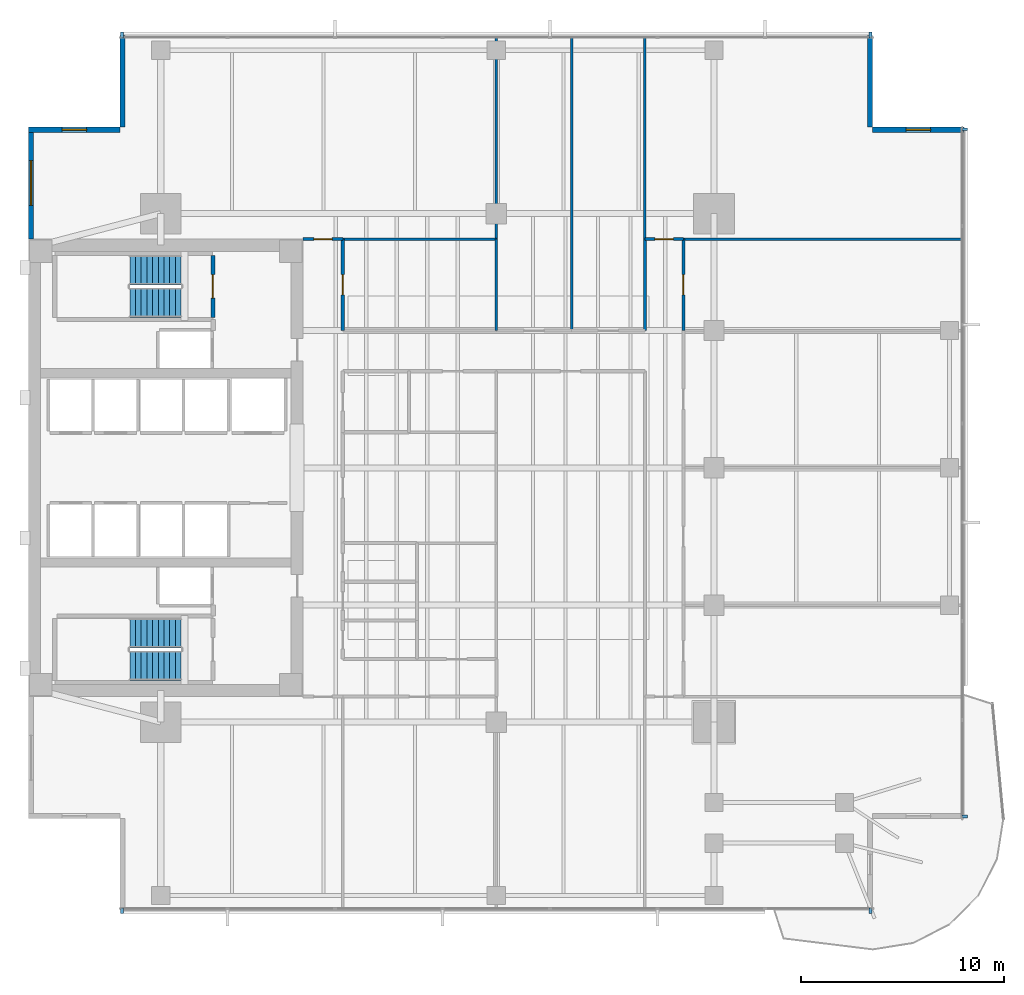
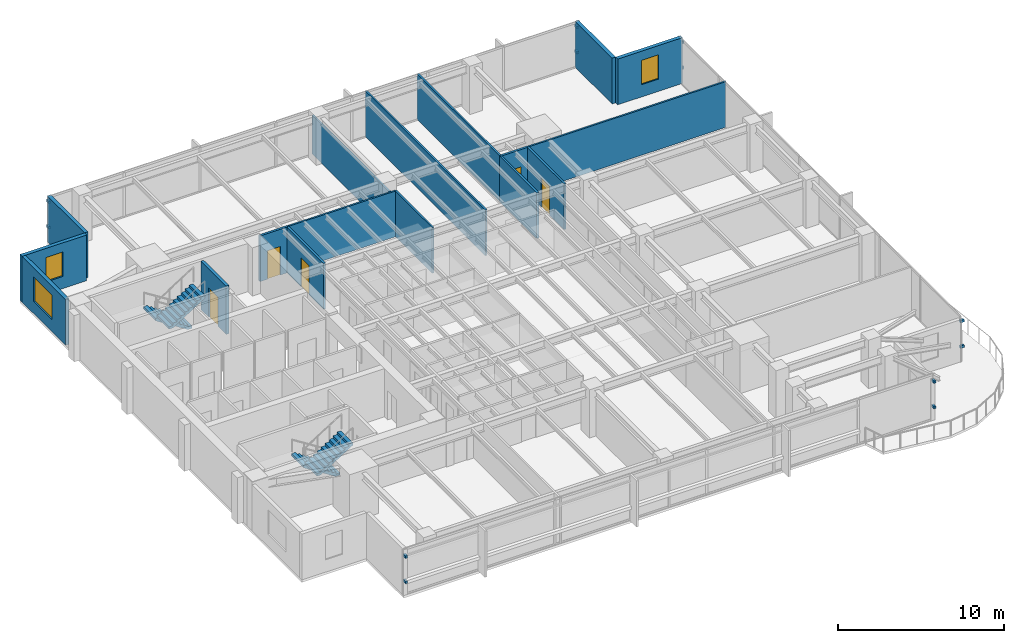
# One storey, part 10 of 14: 17 walls, 12 discrete accessories, 5 doors, 4 stair flights, 3 windows, 8 openings, 2 elements without a shape of their own.
"""IFC4 building model written with IfcOpenShell, lengths in metres."""

import ifcopenshell
import ifcopenshell.guid

model = None  # the IFC model being written
_history = None  # IfcOwnerHistory: only IFC2X3 demands one
_inside = {}  # id of a spatial element -> (the spatial element, [elements in it])
_under = {}  # id of a project, library or spatial element -> (it, [spatial elements below it])
_declared = {}  # id of a project -> (the project, [libraries it declares])
_typed = {}  # id of a type object -> (the type object, [elements of that type])
_made_of = {}  # id of a material, layer set ... -> (it, [elements and type objects made of it])


def new_model(schema):
    """Start an empty IFC model of exactly this schema.

    Asked for "IFC4X3", IfcOpenShell would pick the latest addendum, in which some entities
    have other attributes; the version numbers below select the first issue.
    IFC2X3 requires an IfcOwnerHistory on every rooted entity: one is made here for all.
    """
    global model, _history
    if schema == "IFC4X3":
        model = ifcopenshell.file(schema_version=(4, 3, 0, 0))
    else:
        model = ifcopenshell.file(schema=schema)
    _inside.clear()
    _under.clear()
    _declared.clear()
    _typed.clear()
    _made_of.clear()
    _history = None
    if model.schema == "IFC2X3":
        org = make("IfcOrganization", Name="unknown")
        user = make(
            "IfcPersonAndOrganization",
            ThePerson=make("IfcPerson", FamilyName="unknown"),
            TheOrganization=org,
        )
        app = make(
            "IfcApplication",
            ApplicationDeveloper=org,
            Version="unknown",
            ApplicationFullName="unknown",
            ApplicationIdentifier="unknown",
        )
        _history = make(
            "IfcOwnerHistory",
            OwningUser=user,
            OwningApplication=app,
            ChangeAction="ADDED",
            CreationDate=0,
        )
    return model


def make(cls, **values):
    """One entity of the class cls with the attributes given. An attribute that is None is left unset."""
    return model.create_entity(
        cls, **{name: value for name, value in values.items() if value is not None}
    )


def rooted(cls, **values):
    """An entity with a GlobalId (a new one), such as an element, a storey or a relation."""
    return make(cls, GlobalId=ifcopenshell.guid.new(), OwnerHistory=_history, **values)


def si_unit(unit_type, name, prefix=None):
    """IfcSIUnit, for example si_unit("LENGTHUNIT", "METRE", prefix="MILLI")."""
    return make("IfcSIUnit", UnitType=unit_type, Prefix=prefix, Name=name)


def assignment(units):
    """IfcUnitAssignment: the units of a project."""
    return None if units is None else make("IfcUnitAssignment", Units=units)


def point(xyz):
    """IfcCartesianPoint."""
    return None if xyz is None else make("IfcCartesianPoint", Coordinates=xyz)


def direction(xyz):
    """IfcDirection."""
    return None if xyz is None else make("IfcDirection", DirectionRatios=xyz)


def frame(location, z_axis=None, x_axis=None):
    """IfcAxis2Placement3D, a coordinate frame: its origin and axes. An axis left out is left unset."""
    return make(
        "IfcAxis2Placement3D",
        Location=point(location),
        Axis=direction(z_axis),
        RefDirection=direction(x_axis),
    )


def frame_2d(location, x_axis=None):
    """IfcAxis2Placement2D, a coordinate frame in the plane: its origin and x axis."""
    return make(
        "IfcAxis2Placement2D", Location=point(location), RefDirection=direction(x_axis)
    )


def origin():
    """The frame at (0, 0, 0) with its axes left unset."""
    return frame((0.0, 0.0, 0.0))


def origin_2d():
    """The frame at (0, 0) in the plane with its x axis left unset."""
    return frame_2d((0.0, 0.0))


def place(relative_to, where):
    """IfcLocalPlacement: puts the frame where relative to a parent placement (None: the world)."""
    return make(
        "IfcLocalPlacement", PlacementRelTo=relative_to, RelativePlacement=where
    )


def context(
    kind, dimensions, precision=None, world=None, true_north=None, identifier=None
):
    """IfcGeometricRepresentationContext, for example the 3D "Model" context."""
    return make(
        "IfcGeometricRepresentationContext",
        ContextIdentifier=identifier,
        ContextType=kind,
        CoordinateSpaceDimension=dimensions,
        Precision=precision,
        WorldCoordinateSystem=world,
        TrueNorth=true_north,
    )


def subcontext(parent, identifier, kind, view, scale=None):
    """IfcGeometricRepresentationSubContext, for example "Body" below "Model"."""
    return make(
        "IfcGeometricRepresentationSubContext",
        ContextIdentifier=identifier,
        ContextType=kind,
        ParentContext=parent,
        TargetScale=scale,
        TargetView=view,
    )


def project(units=None, contexts=None):
    """IfcProject with its units and contexts."""
    return rooted(
        "IfcProject",
        Name="project",
        RepresentationContexts=contexts,
        UnitsInContext=assignment(units),
    )


def spatial(cls, under=None, at=None, **own):
    """A site, building, storey or space (cls), placed at a placement, below another one or the project."""
    s = rooted(cls, ObjectPlacement=at, **own)
    if under is not None:
        _under.setdefault(under.id(), (under, []))[1].append(s)
    return s


def polyline(points):
    """IfcPolyline through the points."""
    return make("IfcPolyline", Points=[point(p) for p in points])


def profile(cls, at=None, kind="AREA", **sizes):
    """A parametric profile (cls). Its sizes go by their IFC names, for example OverallWidth=200.0."""
    return make(cls, ProfileType=kind, Position=at, **sizes)


def rectangle(**sizes):
    """IfcRectangleProfileDef."""
    return profile("IfcRectangleProfileDef", **sizes)


def outline(outer, holes=None, kind="AREA"):
    """IfcArbitraryClosedProfileDef: a profile drawn as a closed curve; with holes, ...WithVoids."""
    if holes is None:
        return make("IfcArbitraryClosedProfileDef", ProfileType=kind, OuterCurve=outer)
    return make(
        "IfcArbitraryProfileDefWithVoids",
        ProfileType=kind,
        OuterCurve=outer,
        InnerCurves=holes,
    )


def extrude(swept, where, along, depth):
    """IfcExtrudedAreaSolid: the profile swept, set in the frame where, extruded along a direction by depth."""
    return make(
        "IfcExtrudedAreaSolid",
        SweptArea=swept,
        Position=where,
        ExtrudedDirection=direction(along),
        Depth=depth,
    )


def shape(context_of_items, identifier, shape_type, items):
    """IfcShapeRepresentation: the items that make up one representation, for example the "Body"."""
    return make(
        "IfcShapeRepresentation",
        ContextOfItems=context_of_items,
        RepresentationIdentifier=identifier,
        RepresentationType=shape_type,
        Items=items,
    )


def material(Name=None, Category=None):
    """IfcMaterial."""
    return make("IfcMaterial", Name=Name, Category=Category)


def layer(
    of_material, thickness, ventilated=None, Name=None, Category=None, Priority=None
):
    """IfcMaterialLayer: one layer of a wall or slab, of a material (None: an air gap)."""
    return make(
        "IfcMaterialLayer",
        Material=of_material,
        LayerThickness=thickness,
        IsVentilated=ventilated,
        Name=Name,
        Category=Category,
        Priority=Priority,
    )


def layer_set(layers, Name=None):
    """IfcMaterialLayerSet."""
    return make("IfcMaterialLayerSet", MaterialLayers=layers, LayerSetName=Name)


def made_of(thing, what):
    """Note that an element or type object is made of a material, layer set ...; save() writes the relation."""
    if what is not None:
        _made_of.setdefault(what.id(), (what, []))[1].append(thing)
    return thing


def type_object(cls, material=None, **own):
    """A type object (cls), such as IfcWallType, which elements share."""
    return made_of(rooted(cls, **own), material)


def element(
    cls,
    number,
    at=None,
    inside=None,
    cuts=None,
    type_object=None,
    material=None,
    context=None,
    identifier="Body",
    shape_type=None,
    held_by="IfcProductDefinitionShape",
    body=None,
    shapes=None,
    **own,
):
    """One element of the class cls, such as IfcWall. Its Tag is "e" and its number.

    at: its placement. inside: the storey or other place that contains it. cuts: it is an
    opening in that element (IfcRelVoidsElement). A single representation is given by context,
    identifier, shape_type and body (its items); several are given by shapes. held_by: the class
    of the entity that holds the representations. save() writes the other relations.
    """
    e = rooted(cls, Tag="e%d" % number, ObjectPlacement=at, **own)
    if body is not None:
        shapes = [shape(context, identifier, shape_type, body)]
    if shapes is not None:
        e.Representation = make(held_by, Representations=shapes)
    if inside is not None:
        _inside.setdefault(inside.id(), (inside, []))[1].append(e)
    if cuts is not None:
        rooted(
            "IfcRelVoidsElement", RelatingBuildingElement=cuts, RelatedOpeningElement=e
        )
    if type_object is not None:
        _typed.setdefault(type_object.id(), (type_object, []))[1].append(e)
    return made_of(e, material)


def fill(opening, filler):
    """IfcRelFillsElement: the door or window that sits in an opening."""
    return rooted(
        "IfcRelFillsElement",
        RelatingOpeningElement=opening,
        RelatedBuildingElement=filler,
    )


def aggregate(whole, parts):
    """IfcRelAggregates: a whole, such as a stair, and the parts it consists of."""
    return rooted("IfcRelAggregates", RelatingObject=whole, RelatedObjects=parts)


def save(model, path):
    """Write the relations noted so far, then the file.

    IfcRelAggregates (storeys below a building ...), IfcRelContainedInSpatialStructure (elements
    in a storey), IfcRelDefinesByType, IfcRelAssociatesMaterial and IfcRelDeclares: one each for
    every whole, place, type object, material and project.
    """
    for whole, parts in _under.values():
        aggregate(whole, parts)
    for where, things in _inside.values():
        rooted(
            "IfcRelContainedInSpatialStructure",
            RelatedElements=things,
            RelatingStructure=where,
        )
    for kind, things in _typed.values():
        rooted("IfcRelDefinesByType", RelatedObjects=things, RelatingType=kind)
    for what, things in _made_of.values():
        rooted("IfcRelAssociatesMaterial", RelatedObjects=things, RelatingMaterial=what)
    for by, libraries in _declared.values():
        rooted("IfcRelDeclares", RelatingContext=by, RelatedDefinitions=libraries)
    model.write(path)


model = new_model("IFC4")

# Units and contexts
model_context = context("Model", 3, precision=1e-05, world=origin(), true_north=direction((0.0, 1.0)))
body_context = subcontext(model_context, "Body", "Model", "MODEL_VIEW")
ifc_project = project(units=[si_unit("LENGTHUNIT", "METRE"), si_unit("AREAUNIT", "SQUARE_METRE"), si_unit("VOLUMEUNIT", "CUBIC_METRE"), si_unit("PLANEANGLEUNIT", "RADIAN"), si_unit("MASSUNIT", "GRAM", prefix="KILO")], contexts=[model_context])

# Site, building, storey
site_placement = place(None, origin())
site = spatial("IfcSite", under=ifc_project, at=site_placement, CompositionType="ELEMENT")
building_placement = place(site_placement, origin())
building = spatial("IfcBuilding", under=site, at=building_placement, Name="Kinhvarn Gate Tower", CompositionType="ELEMENT")
storey_placement = place(building_placement, frame((0.0, 0.0, 151.949951171875)))
storey = spatial("IfcBuildingStorey", under=building, at=storey_placement, Name="L40", CompositionType="ELEMENT", Elevation=151.949951171875)

# Wall, opening, window
ifc_material_1 = material(Name="Fired architectural terracotta", Category="masonry")
ifc_layer_1 = layer(ifc_material_1, 0.25)
ifc_layer_set_1 = layer_set([ifc_layer_1], Name="Fired architectural terracotta")
wall_type_1 = type_object("IfcWallType", Name="WL-EXT-250", PredefinedType="SOLIDWALL", material=ifc_layer_set_1)
wall_1_placement = place(storey_placement, frame((4.625, 42.0, 0.0), z_axis=(0.0, 0.0, 1.0), x_axis=(0.0, -1.0, 0.0)))
wall_1 = element("IfcWall", 1, at=wall_1_placement, inside=storey, type_object=wall_type_1, Name="Exterior Solidwall Wall EW-250 (L40 West-North)", PredefinedType="SOLIDWALL", context=body_context, shape_type="SweptSolid", body=[
    extrude(rectangle(XDim=5.5, YDim=0.25, at=frame_2d((2.75, 0.0))), origin(), (0.0, 0.0, 1.0), 3.3701171875),
])
opening_1_placement = place(wall_1_placement, frame((1.64990234375, 0.0, 0.89990234375)))
opening_1 = element("IfcOpeningElement", 2, at=opening_1_placement, cuts=wall_1, Name="Opening WN-01", PredefinedType="OPENING", context=body_context, shape_type="SweptSolid", body=[
    extrude(rectangle(XDim=2.199951171875, YDim=1.800048828125, at=frame_2d((1.10009765625, 0.89990234375))), frame((0.0, 0.135009765625, 0.0), z_axis=(0.0, -1.0, 0.0), x_axis=(1.0, 0.0, 0.0)), (0.0, 0.0, 1.0), 0.27001953125),
])
ifc_material_2 = material(Name="Clear low-e double glazing", Category="glass")
window_type_1 = type_object("IfcWindowType", Name="WIN-RIB-2200", PartitioningType="SINGLE_PANEL", PredefinedType="WINDOW", material=ifc_material_2)
window_1_placement = place(opening_1_placement, origin())
window_1 = element("IfcWindow", 3, at=window_1_placement, inside=storey, type_object=window_type_1, Name="West Flank Double-Glazed Ribbon Window 2200x1800 mm (L40)", OverallHeight=1.800048828125, OverallWidth=2.199951171875, PartitioningType="SINGLE_PANEL", PredefinedType="WINDOW", context=body_context, shape_type="SweptSolid", body=[
    extrude(rectangle(XDim=2.199951171875, YDim=1.800048828125, at=frame_2d((1.10009765625, 0.89990234375))), frame((0.0, 0.030029296875, 0.0), z_axis=(0.0, -1.0, 0.0), x_axis=(1.0, 0.0, 0.0)), (0.0, 0.0, 1.0), 0.06005859375),
])
fill(opening_1, window_1)

wall_2_placement = place(storey_placement, frame((50.5, 41.875, 0.0), z_axis=(0.0, 0.0, 1.0), x_axis=(-1.0, 0.0, 0.0)))
wall_2 = element("IfcWall", 4, at=wall_2_placement, inside=storey, type_object=wall_type_1, Name="Exterior Solidwall Wall EW-250 (L40 NE-Notch-1)", PredefinedType="SOLIDWALL", context=body_context, shape_type="SweptSolid", body=[
    extrude(rectangle(XDim=4.5, YDim=0.25, at=frame_2d((2.25, 0.0))), origin(), (0.0, 0.0, 1.0), 3.3701171875),
])
opening_2_placement = place(wall_2_placement, frame((1.64990234375, 0.0, 0.89990234375)))
opening_2 = element("IfcOpeningElement", 5, at=opening_2_placement, cuts=wall_2, Name="Opening WN-02", PredefinedType="OPENING", context=body_context, shape_type="SweptSolid", body=[
    extrude(rectangle(XDim=1.199951171875, YDim=1.800048828125, at=frame_2d((0.60009765625, 0.89990234375))), frame((0.0, 0.135009765625, 0.0), z_axis=(0.0, -1.0, 0.0), x_axis=(1.0, 0.0, 0.0)), (0.0, 0.0, 1.0), 0.27001953125),
])
window_type_2 = type_object("IfcWindowType", Name="WIN-NTC-1200", PartitioningType="SINGLE_PANEL", PredefinedType="WINDOW", material=ifc_material_2)
window_2_placement = place(opening_2_placement, origin())
window_2 = element("IfcWindow", 6, at=window_2_placement, inside=storey, type_object=window_type_2, Name="Recessed Corner Notch Punched Window 1200x1800 mm (L40)", OverallHeight=1.800048828125, OverallWidth=1.199951171875, PartitioningType="SINGLE_PANEL", PredefinedType="WINDOW", context=body_context, shape_type="SweptSolid", body=[
    extrude(rectangle(XDim=1.199951171875, YDim=1.800048828125, at=frame_2d((0.60009765625, 0.89990234375))), frame((0.0, 0.030029296875, 0.0), z_axis=(0.0, -1.0, 0.0), x_axis=(1.0, 0.0, 0.0)), (0.0, 0.0, 1.0), 0.06005859375),
])
fill(opening_2, window_2)

# Walls
for number, where, z_axis, x_axis, name in (
    (7, (45.875, 42.0, 0.0), (0.0, 0.0, 1.0), (0.0, 1.0, 0.0), "Exterior Solidwall Wall EW-250 (L40 NE-Notch-2)"),
    (8, (9.125, 46.5, 0.0), (0.0, 0.0, 1.0), (0.0, -1.0, 0.0), "Exterior Solidwall Wall EW-250 (L40 NW-Notch-1)"),
):
    element("IfcWall", number, at=place(storey_placement, frame(where, z_axis=z_axis, x_axis=x_axis)), inside=storey, type_object=wall_type_1, Name=name, PredefinedType="SOLIDWALL", context=body_context, shape_type="SweptSolid", body=[
        extrude(rectangle(XDim=4.5, YDim=0.25, at=frame_2d((2.25, 0.0))), origin(), (0.0, 0.0, 1.0), 3.3701171875),
    ])

# Wall, opening, window
wall_3_placement = place(storey_placement, frame((9.0, 41.875, 0.0), z_axis=(0.0, 0.0, 1.0), x_axis=(-1.0, 0.0, 0.0)))
wall_3 = element("IfcWall", 9, at=wall_3_placement, inside=storey, type_object=wall_type_1, Name="Exterior Solidwall Wall EW-250 (L40 NW-Notch-2)", PredefinedType="SOLIDWALL", context=body_context, shape_type="SweptSolid", body=[
    extrude(rectangle(XDim=4.5, YDim=0.25, at=frame_2d((2.25, 0.0))), origin(), (0.0, 0.0, 1.0), 3.3701171875),
])
opening_3_placement = place(wall_3_placement, frame((1.64990234375, 0.0, 0.89990234375)))
opening_3 = element("IfcOpeningElement", 10, at=opening_3_placement, cuts=wall_3, Name="Opening WN-02", PredefinedType="OPENING", context=body_context, shape_type="SweptSolid", body=[
    extrude(rectangle(XDim=1.199951171875, YDim=1.800048828125, at=frame_2d((0.60009765625, 0.89990234375))), frame((0.0, 0.135009765625, 0.0), z_axis=(0.0, -1.0, 0.0), x_axis=(1.0, 0.0, 0.0)), (0.0, 0.0, 1.0), 0.27001953125),
])
window_3_placement = place(opening_3_placement, origin())
window_3 = element("IfcWindow", 11, at=window_3_placement, inside=storey, type_object=window_type_2, Name="Recessed Corner Notch Punched Window 1200x1800 mm (L40)", OverallHeight=1.800048828125, OverallWidth=1.199951171875, PartitioningType="SINGLE_PANEL", PredefinedType="WINDOW", context=body_context, shape_type="SweptSolid", body=[
    extrude(rectangle(XDim=1.199951171875, YDim=1.800048828125, at=frame_2d((0.60009765625, 0.89990234375))), frame((0.0, 0.030029296875, 0.0), z_axis=(0.0, -1.0, 0.0), x_axis=(1.0, 0.0, 0.0)), (0.0, 0.0, 1.0), 0.06005859375),
])
fill(opening_3, window_3)

# Walls
ifc_material_3 = material(Name="Gypsum acoustic partition board")
ifc_layer_2 = layer(ifc_material_3, 0.1201171875)
ifc_layer_set_2 = layer_set([ifc_layer_2], Name="Gypsum acoustic partition board")
wall_type_2 = type_object("IfcWallType", Name="WL-PRT-120", PredefinedType="PARTITIONING", material=ifc_layer_set_2)
wall_4_placement = place(storey_placement, frame((19.949951171875, 36.5, 0.0), z_axis=(0.0, 0.0, 1.0), x_axis=(1.0, 0.0, 0.0)))
element("IfcWall", 12, at=wall_4_placement, inside=storey, type_object=wall_type_2, Name="Interior Partition PW-120 (L40)", PredefinedType="PARTITIONING", context=body_context, shape_type="SweptSolid", body=[
    extrude(rectangle(XDim=7.550048828125, YDim=0.1201171875, at=frame_2d((3.77490234375, 0.0))), origin(), (0.0, 0.0, 1.0), 3.3701171875),
])
wall_5_placement = place(storey_placement, frame((27.5, 32.0, 0.0), z_axis=(0.0, 0.0, 1.0), x_axis=(0.0, 1.0, 0.0)))
element("IfcWall", 13, at=wall_5_placement, inside=storey, type_object=wall_type_2, Name="Interior Partition PW-120 (L40)", PredefinedType="PARTITIONING", context=body_context, shape_type="SweptSolid", body=[
    extrude(rectangle(XDim=4.5, YDim=0.1201171875, at=frame_2d((2.25, 0.0))), origin(), (0.0, 0.0, 1.0), 3.3701171875),
])
wall_6_placement = place(storey_placement, frame((27.5, 36.5, 0.0), z_axis=(0.0, 0.0, 1.0), x_axis=(0.0, 1.0, 0.0)))
element("IfcWall", 14, at=wall_6_placement, inside=storey, type_object=wall_type_2, Name="Interior Partition PW-120 (L40)", PredefinedType="PARTITIONING", context=body_context, shape_type="SweptSolid", body=[
    extrude(rectangle(XDim=9.989990234375, YDim=0.1201171875, at=frame_2d((4.9951171875, 0.0))), origin(), (0.0, 0.0, 1.0), 2.8701171875),
])
wall_7_placement = place(storey_placement, frame((31.199951171875, 32.0, 0.0), z_axis=(0.0, 0.0, 1.0), x_axis=(0.0, 1.0, 0.0)))
element("IfcWall", 15, at=wall_7_placement, inside=storey, type_object=wall_type_2, Name="Interior Partition PW-120 (L40)", PredefinedType="PARTITIONING", context=body_context, shape_type="SweptSolid", body=[
    extrude(rectangle(XDim=14.489990234375, YDim=0.1201171875, at=frame_2d((7.2451171875, 0.0))), origin(), (0.0, 0.0, 1.0), 3.3701171875),
])
wall_8_placement = place(storey_placement, frame((34.800048828125, 36.5, 0.0), z_axis=(0.0, 0.0, 1.0), x_axis=(0.0, 1.0, 0.0)))
element("IfcWall", 16, at=wall_8_placement, inside=storey, type_object=wall_type_2, Name="Interior Partition PW-120 (L40)", PredefinedType="PARTITIONING", context=body_context, shape_type="SweptSolid", body=[
    extrude(rectangle(XDim=9.989990234375, YDim=0.1201171875, at=frame_2d((4.9951171875, 0.0))), origin(), (0.0, 0.0, 1.0), 3.3701171875),
])
wall_9_placement = place(storey_placement, frame((36.699951171875, 36.5, 0.0), z_axis=(0.0, 0.0, 1.0), x_axis=(1.0, 0.0, 0.0)))
element("IfcWall", 17, at=wall_9_placement, inside=storey, type_object=wall_type_2, Name="Interior Partition PW-120 (L40)", PredefinedType="PARTITIONING", context=body_context, shape_type="SweptSolid", body=[
    extrude(rectangle(XDim=13.7900390625, YDim=0.1201171875, at=frame_2d((6.89501953125, 0.0))), origin(), (0.0, 0.0, 1.0), 3.3701171875),
])

# Wall, opening, door
ifc_layer_3 = layer(ifc_material_3, 0.14990234375)
ifc_layer_set_3 = layer_set([ifc_layer_3], Name="Gypsum acoustic partition board")
wall_type_3 = type_object("IfcWallType", Name="WL-PRT-150F", PredefinedType="PARTITIONING", material=ifc_layer_set_3)
wall_10_placement = place(storey_placement, frame((19.949951171875, 32.0, 0.0), z_axis=(0.0, 0.0, 1.0), x_axis=(0.0, 1.0, 0.0)))
wall_10 = element("IfcWall", 18, at=wall_10_placement, inside=storey, type_object=wall_type_3, Name="Interior Partition PW-150F (L40)", PredefinedType="PARTITIONING", context=body_context, shape_type="SweptSolid", body=[
    extrude(rectangle(XDim=4.5, YDim=0.14990234375, at=frame_2d((2.25, 0.0))), origin(), (0.0, 0.0, 1.0), 3.3701171875),
])
opening_4_placement = place(wall_10_placement, frame((1.75, 0.0, 0.0)))
opening_4 = element("IfcOpeningElement", 19, at=opening_4_placement, cuts=wall_10, Name="Opening ID-02", PredefinedType="OPENING", context=body_context, shape_type="SweptSolid", body=[
    extrude(rectangle(XDim=1.0, YDim=2.14990234375, at=frame_2d((0.5, 1.074951171875))), frame((0.0, 0.0849609375, 0.0), z_axis=(0.0, -1.0, 0.0), x_axis=(1.0, 0.0, 0.0)), (0.0, 0.0, 1.0), 0.169921875),
])
ifc_material_4 = material(Name="Anodised aluminium AW-6063", Category="aluminium")
door_type_1 = type_object("IfcDoorType", Name="DR-INT-1000", OperationType="NOTDEFINED", PredefinedType="DOOR", material=ifc_material_4)
door_1_placement = place(opening_4_placement, origin())
door_1 = element("IfcDoor", 20, at=door_1_placement, inside=storey, type_object=door_type_1, Name="Standard Office & Meeting Room Door 1000x2150 mm (L40)", OperationType="SINGLE_SWING_RIGHT", OverallHeight=2.14990234375, OverallWidth=1.0, PredefinedType="DOOR", context=body_context, shape_type="SweptSolid", body=[
    extrude(rectangle(XDim=1.0, YDim=2.14990234375, at=frame_2d((0.5, 1.074951171875))), frame((0.0, 0.02490234375, 0.0), z_axis=(0.0, -1.0, 0.0), x_axis=(1.0, 0.0, 0.0)), (0.0, 0.0, 1.0), 0.050048828125),
])
fill(opening_4, door_1)

wall_11_placement = place(storey_placement, frame((18.0, 36.5, 0.0), z_axis=(0.0, 0.0, 1.0), x_axis=(1.0, 0.0, 0.0)))
wall_11 = element("IfcWall", 21, at=wall_11_placement, inside=storey, type_object=wall_type_3, Name="Interior Partition PW-150F (L40)", PredefinedType="PARTITIONING", context=body_context, shape_type="SweptSolid", body=[
    extrude(rectangle(XDim=1.949951171875, YDim=0.14990234375, at=frame_2d((0.97509765625, 0.0))), origin(), (0.0, 0.0, 1.0), 3.3701171875),
])
opening_5_placement = place(wall_11_placement, frame((0.52490234375, 0.0, 0.0)))
opening_5 = element("IfcOpeningElement", 22, at=opening_5_placement, cuts=wall_11, Name="Opening ID-03", PredefinedType="OPENING", context=body_context, shape_type="SweptSolid", body=[
    extrude(rectangle(XDim=0.89990234375, YDim=2.10009765625, at=frame_2d((0.449951171875, 1.050048828125))), frame((0.0, 0.0849609375, 0.0), z_axis=(0.0, -1.0, 0.0), x_axis=(1.0, 0.0, 0.0)), (0.0, 0.0, 1.0), 0.169921875),
])
door_type_2 = type_object("IfcDoorType", Name="DR-INT-900", OperationType="NOTDEFINED", PredefinedType="DOOR", material=ifc_material_4)
door_2_placement = place(opening_5_placement, origin())
door_2 = element("IfcDoor", 23, at=door_2_placement, inside=storey, type_object=door_type_2, Name="Cellular Office & Restroom Door 900x2100 mm (L40)", OperationType="SINGLE_SWING_RIGHT", OverallHeight=2.10009765625, OverallWidth=0.89990234375, PredefinedType="DOOR", context=body_context, shape_type="SweptSolid", body=[
    extrude(rectangle(XDim=0.89990234375, YDim=2.10009765625, at=frame_2d((0.449951171875, 1.050048828125))), frame((0.0, 0.02490234375, 0.0), z_axis=(0.0, -1.0, 0.0), x_axis=(1.0, 0.0, 0.0)), (0.0, 0.0, 1.0), 0.050048828125),
])
fill(opening_5, door_2)

# Wall
wall_12_placement = place(storey_placement, frame((34.800048828125, 32.0, 0.0), z_axis=(0.0, 0.0, 1.0), x_axis=(0.0, 1.0, 0.0)))
element("IfcWall", 24, at=wall_12_placement, inside=storey, type_object=wall_type_3, Name="Interior Partition PW-150F (L40)", PredefinedType="PARTITIONING", context=body_context, shape_type="SweptSolid", body=[
    extrude(rectangle(XDim=4.5, YDim=0.14990234375, at=frame_2d((2.25, 0.0))), origin(), (0.0, 0.0, 1.0), 3.3701171875),
])

# Wall, opening, door
wall_13_placement = place(storey_placement, frame((36.699951171875, 32.0, 0.0), z_axis=(0.0, 0.0, 1.0), x_axis=(0.0, 1.0, 0.0)))
wall_13 = element("IfcWall", 25, at=wall_13_placement, inside=storey, type_object=wall_type_3, Name="Interior Partition PW-150F (L40)", PredefinedType="PARTITIONING", context=body_context, shape_type="SweptSolid", body=[
    extrude(rectangle(XDim=4.5, YDim=0.14990234375, at=frame_2d((2.25, 0.0))), origin(), (0.0, 0.0, 1.0), 3.3701171875),
])
opening_6_placement = place(wall_13_placement, frame((1.75, 0.0, 0.0)))
opening_6 = element("IfcOpeningElement", 26, at=opening_6_placement, cuts=wall_13, Name="Opening ID-02", PredefinedType="OPENING", context=body_context, shape_type="SweptSolid", body=[
    extrude(rectangle(XDim=1.0, YDim=2.14990234375, at=frame_2d((0.5, 1.074951171875))), frame((0.0, 0.0849609375, 0.0), z_axis=(0.0, -1.0, 0.0), x_axis=(1.0, 0.0, 0.0)), (0.0, 0.0, 1.0), 0.169921875),
])
door_3_placement = place(opening_6_placement, origin())
door_3 = element("IfcDoor", 27, at=door_3_placement, inside=storey, type_object=door_type_1, Name="Standard Office & Meeting Room Door 1000x2150 mm (L40)", OperationType="SINGLE_SWING_LEFT", OverallHeight=2.14990234375, OverallWidth=1.0, PredefinedType="DOOR", context=body_context, shape_type="SweptSolid", body=[
    extrude(rectangle(XDim=1.0, YDim=2.14990234375, at=frame_2d((0.5, 1.074951171875))), frame((0.0, 0.02490234375, 0.0), z_axis=(0.0, -1.0, 0.0), x_axis=(1.0, 0.0, 0.0)), (0.0, 0.0, 1.0), 0.050048828125),
])
fill(opening_6, door_3)

wall_14_placement = place(storey_placement, frame((34.800048828125, 36.5, 0.0), z_axis=(0.0, 0.0, 1.0), x_axis=(1.0, 0.0, 0.0)))
wall_14 = element("IfcWall", 28, at=wall_14_placement, inside=storey, type_object=wall_type_3, Name="Interior Partition PW-150F (L40)", PredefinedType="PARTITIONING", context=body_context, shape_type="SweptSolid", body=[
    extrude(rectangle(XDim=1.89990234375, YDim=0.14990234375, at=frame_2d((0.949951171875, 0.0))), origin(), (0.0, 0.0, 1.0), 3.3701171875),
])
opening_7_placement = place(wall_14_placement, frame((0.5, 0.0, 0.0)))
opening_7 = element("IfcOpeningElement", 29, at=opening_7_placement, cuts=wall_14, Name="Opening ID-03", PredefinedType="OPENING", context=body_context, shape_type="SweptSolid", body=[
    extrude(rectangle(XDim=0.89990234375, YDim=2.10009765625, at=frame_2d((0.449951171875, 1.050048828125))), frame((0.0, 0.0849609375, 0.0), z_axis=(0.0, -1.0, 0.0), x_axis=(1.0, 0.0, 0.0)), (0.0, 0.0, 1.0), 0.169921875),
])
door_4_placement = place(opening_7_placement, origin())
door_4 = element("IfcDoor", 30, at=door_4_placement, inside=storey, type_object=door_type_2, Name="Cellular Office & Restroom Door 900x2100 mm (L40)", OperationType="SINGLE_SWING_RIGHT", OverallHeight=2.10009765625, OverallWidth=0.89990234375, PredefinedType="DOOR", context=body_context, shape_type="SweptSolid", body=[
    extrude(rectangle(XDim=0.89990234375, YDim=2.10009765625, at=frame_2d((0.449951171875, 1.050048828125))), frame((0.0, 0.02490234375, 0.0), z_axis=(0.0, -1.0, 0.0), x_axis=(1.0, 0.0, 0.0)), (0.0, 0.0, 1.0), 0.050048828125),
])
fill(opening_7, door_4)

ifc_material_5 = material(Name="Concrete C40/50", Category="concrete")
ifc_layer_4 = layer(ifc_material_5, 0.199951171875)
ifc_layer_set_4 = layer_set([ifc_layer_4], Name="Concrete C40/50")
wall_type_4 = type_object("IfcWallType", Name="WL-SHF-200", PredefinedType="SOLIDWALL", material=ifc_layer_set_4)
wall_15_placement = place(storey_placement, frame((13.56005859375, 32.64990234375, 0.0), z_axis=(0.0, 0.0, 1.0), x_axis=(0.0, 1.0, 0.0)))
wall_15 = element("IfcWall", 31, at=wall_15_placement, inside=storey, type_object=wall_type_4, Name="Stair ST2 East Entry Wall (L40)", PredefinedType="SOLIDWALL", context=body_context, shape_type="SweptSolid", body=[
    extrude(rectangle(XDim=3.050048828125, YDim=0.199951171875, at=frame_2d((1.52490234375, 0.0))), origin(), (0.0, 0.0, 1.0), 3.550048828125),
])
opening_8_placement = place(wall_15_placement, frame((0.949951171875, 0.0, 0.0)))
opening_8 = element("IfcOpeningElement", 32, at=opening_8_placement, cuts=wall_15, Name="Opening FD-01", PredefinedType="OPENING", context=body_context, shape_type="SweptSolid", body=[
    extrude(rectangle(XDim=1.14990234375, YDim=2.14990234375, at=frame_2d((0.574951171875, 1.074951171875))), frame((0.0, 0.10986328125, 0.0), z_axis=(0.0, -1.0, 0.0), x_axis=(1.0, 0.0, 0.0)), (0.0, 0.0, 1.0), 0.219970703125),
])
door_type_3 = type_object("IfcDoorType", Name="DR-ST-1150", OperationType="NOTDEFINED", PredefinedType="DOOR", material=ifc_material_4)
door_5_placement = place(opening_8_placement, origin())
door_5 = element("IfcDoor", 33, at=door_5_placement, inside=storey, type_object=door_type_3, Name="Exit Stair ST2 Fire Door (L40)", OperationType="SINGLE_SWING_LEFT", OverallHeight=2.14990234375, OverallWidth=1.14990234375, PredefinedType="DOOR", context=body_context, shape_type="SweptSolid", body=[
    extrude(rectangle(XDim=1.14990234375, YDim=2.14990234375, at=frame_2d((0.574951171875, 1.074951171875))), frame((0.0, 0.02490234375, 0.0), z_axis=(0.0, -1.0, 0.0), x_axis=(1.0, 0.0, 0.0)), (0.0, 0.0, 1.0), 0.050048828125),
])
fill(opening_8, door_5)

# Stair, stair flights
stair_type = type_object("IfcStairType", Name="STR-DLG-178", PredefinedType="HALF_TURN_STAIR", material=ifc_material_5)
stair_1_placement = place(storey_placement, origin())
stair_1 = element("IfcStair", 34, at=stair_1_placement, inside=storey, type_object=stair_type, Name="L40 Core Smokeproof Exit Stair ST1", PredefinedType="HALF_TURN_STAIR")
stair_flight_type = type_object("IfcStairFlightType", Name="STF-DLG-178", PredefinedType="STRAIGHT", material=ifc_material_5)
stair_flight_1_placement = place(storey_placement, frame((12.0, 17.125, 0.0), z_axis=(0.0, 0.0, 1.0), x_axis=(-1.0, 0.0, 0.0)))
stair_flight_1 = element("IfcStairFlight", 35, at=stair_flight_1_placement, type_object=stair_flight_type, Name="ST1 flight 1", NumberOfRisers=10, NumberOfTreads=9, PredefinedType="STRAIGHT", RiserHeight=0.1775, TreadLength=0.28, context=body_context, shape_type="SweptSolid", body=[
    extrude(outline(polyline([(0.0, 0.0), (0.0, 0.177490234375), (0.280029296875, 0.177490234375), (0.280029296875, 0.35498046875), (0.56005859375, 0.35498046875), (0.56005859375, 0.532470703125), (0.840087890625, 0.532470703125), (0.840087890625, 0.7099609375), (1.1201171875, 0.7099609375), (1.1201171875, 0.887451171875), (1.39990234375, 0.887451171875), (1.39990234375, 1.06494140625), (1.679931640625, 1.06494140625), (1.679931640625, 1.242431640625), (1.9599609375, 1.242431640625), (1.9599609375, 1.419921875), (2.239990234375, 1.419921875), (2.239990234375, 1.597412109375), (2.52001953125, 1.597412109375), (2.52001953125, 1.77490234375), (2.52001953125, 1.419921875), (0.280029296875, 0.0), (0.0, 0.0)])), frame((0.0, 0.72509765625, 0.0), z_axis=(0.0, -1.0, 0.0), x_axis=(1.0, 0.0, 0.0)), (0.0, 0.0, 1.0), 1.449951171875),
])
stair_flight_2_placement = place(storey_placement, frame((9.47998046875, 15.52490234375, 1.775146484375), z_axis=(0.0, 0.0, 1.0), x_axis=(1.0, 0.0, 0.0)))
stair_flight_2 = element("IfcStairFlight", 36, at=stair_flight_2_placement, type_object=stair_flight_type, Name="ST1 flight 2", NumberOfRisers=10, NumberOfTreads=9, PredefinedType="STRAIGHT", RiserHeight=0.1775, TreadLength=0.28, context=body_context, shape_type="SweptSolid", body=[
    extrude(outline(polyline([(0.0, 0.0), (0.0, 0.177490234375), (0.280029296875, 0.177490234375), (0.280029296875, 0.35498046875), (0.56005859375, 0.35498046875), (0.56005859375, 0.532470703125), (0.840087890625, 0.532470703125), (0.840087890625, 0.7099609375), (1.1201171875, 0.7099609375), (1.1201171875, 0.887451171875), (1.39990234375, 0.887451171875), (1.39990234375, 1.06494140625), (1.679931640625, 1.06494140625), (1.679931640625, 1.242431640625), (1.9599609375, 1.242431640625), (1.9599609375, 1.419921875), (2.239990234375, 1.419921875), (2.239990234375, 1.597412109375), (2.52001953125, 1.597412109375), (2.52001953125, 1.77490234375), (2.52001953125, 1.419921875), (0.280029296875, 0.0), (0.0, 0.0)])), frame((0.0, 0.72509765625, 0.0), z_axis=(0.0, -1.0, 0.0), x_axis=(1.0, 0.0, 0.0)), (0.0, 0.0, 1.0), 1.449951171875),
])
aggregate(stair_1, [stair_flight_1, stair_flight_2])

stair_2_placement = place(storey_placement, origin())
stair_2 = element("IfcStair", 37, at=stair_2_placement, inside=storey, type_object=stair_type, Name="L40 Core Smokeproof Exit Stair ST2", PredefinedType="HALF_TURN_STAIR")
stair_flight_3_placement = place(storey_placement, frame((12.0, 34.97509765625, 0.0), z_axis=(0.0, 0.0, 1.0), x_axis=(-1.0, 0.0, 0.0)))
stair_flight_3 = element("IfcStairFlight", 38, at=stair_flight_3_placement, type_object=stair_flight_type, Name="ST2 flight 1", NumberOfRisers=10, NumberOfTreads=9, PredefinedType="STRAIGHT", RiserHeight=0.1775, TreadLength=0.28, context=body_context, shape_type="SweptSolid", body=[
    extrude(outline(polyline([(0.0, 0.0), (0.0, 0.177490234375), (0.280029296875, 0.177490234375), (0.280029296875, 0.35498046875), (0.56005859375, 0.35498046875), (0.56005859375, 0.532470703125), (0.840087890625, 0.532470703125), (0.840087890625, 0.7099609375), (1.1201171875, 0.7099609375), (1.1201171875, 0.887451171875), (1.39990234375, 0.887451171875), (1.39990234375, 1.06494140625), (1.679931640625, 1.06494140625), (1.679931640625, 1.242431640625), (1.9599609375, 1.242431640625), (1.9599609375, 1.419921875), (2.239990234375, 1.419921875), (2.239990234375, 1.597412109375), (2.52001953125, 1.597412109375), (2.52001953125, 1.77490234375), (2.52001953125, 1.419921875), (0.280029296875, 0.0), (0.0, 0.0)])), frame((0.0, 0.72509765625, 0.0), z_axis=(0.0, -1.0, 0.0), x_axis=(1.0, 0.0, 0.0)), (0.0, 0.0, 1.0), 1.449951171875),
])
stair_flight_4_placement = place(storey_placement, frame((9.47998046875, 33.375, 1.775146484375), z_axis=(0.0, 0.0, 1.0), x_axis=(1.0, 0.0, 0.0)))
stair_flight_4 = element("IfcStairFlight", 39, at=stair_flight_4_placement, type_object=stair_flight_type, Name="ST2 flight 2", NumberOfRisers=10, NumberOfTreads=9, PredefinedType="STRAIGHT", RiserHeight=0.1775, TreadLength=0.28, context=body_context, shape_type="SweptSolid", body=[
    extrude(outline(polyline([(0.0, 0.0), (0.0, 0.177490234375), (0.280029296875, 0.177490234375), (0.280029296875, 0.35498046875), (0.56005859375, 0.35498046875), (0.56005859375, 0.532470703125), (0.840087890625, 0.532470703125), (0.840087890625, 0.7099609375), (1.1201171875, 0.7099609375), (1.1201171875, 0.887451171875), (1.39990234375, 0.887451171875), (1.39990234375, 1.06494140625), (1.679931640625, 1.06494140625), (1.679931640625, 1.242431640625), (1.9599609375, 1.242431640625), (1.9599609375, 1.419921875), (2.239990234375, 1.419921875), (2.239990234375, 1.597412109375), (2.52001953125, 1.597412109375), (2.52001953125, 1.77490234375), (2.52001953125, 1.419921875), (0.280029296875, 0.0), (0.0, 0.0)])), frame((0.0, 0.72509765625, 0.0), z_axis=(0.0, -1.0, 0.0), x_axis=(1.0, 0.0, 0.0)), (0.0, 0.0, 1.0), 1.449951171875),
])
aggregate(stair_2, [stair_flight_3, stair_flight_4])

# Discrete accessories
discrete_accessory_type = type_object("IfcDiscreteAccessoryType", Name="ACC-BRK-01", PredefinedType="BRACKET", material=ifc_material_4)
for number, where, z_axis, x_axis, name in (
    (40, (9.10009765625, 3.469970703125, 0.9599609375), (0.0, 0.0, 1.0), (1.0, 0.0, 0.0), "Baguette Support Bracket BK-01 (L40)"),
    (41, (9.10009765625, 3.469970703125, 2.830078125), (0.0, 0.0, 1.0), (1.0, 0.0, 0.0), "Baguette Support Bracket BK-01 (L40)"),
    (42, (45.89990234375, 3.469970703125, 0.9599609375), (0.0, 0.0, 1.0), (1.0, 0.0, 0.0), "Baguette Support Bracket BK-01 (L40)"),
    (43, (45.89990234375, 3.469970703125, 2.830078125), (0.0, 0.0, 1.0), (1.0, 0.0, 0.0), "Baguette Support Bracket BK-01 (L40)"),
    (44, (45.89990234375, 46.530029296875, 0.9599609375), (0.0, 0.0, 1.0), (-1.0, 0.0, 0.0), "Baguette Support Bracket BK-01 (L40)"),
    (45, (45.89990234375, 46.530029296875, 2.830078125), (0.0, 0.0, 1.0), (-1.0, 0.0, 0.0), "Baguette Support Bracket BK-01 (L40)"),
    (46, (9.10009765625, 46.530029296875, 0.9599609375), (0.0, 0.0, 1.0), (-1.0, 0.0, 0.0), "Baguette Support Bracket BK-01 (L40)"),
    (47, (9.10009765625, 46.530029296875, 2.830078125), (0.0, 0.0, 1.0), (-1.0, 0.0, 0.0), "Baguette Support Bracket BK-01 (L40)"),
    (48, (50.530029296875, 8.10009765625, 0.9599609375), (0.0, 0.0, 1.0), (0.0, 1.0, 0.0), "Baguette Support Bracket BK-01 (L40)"),
    (49, (50.530029296875, 8.10009765625, 2.830078125), (0.0, 0.0, 1.0), (0.0, 1.0, 0.0), "Baguette Support Bracket BK-01 (L40)"),
    (50, (50.530029296875, 41.89990234375, 0.9599609375), (0.0, 0.0, 1.0), (0.0, 1.0, 0.0), "Baguette Support Bracket BK-01 (L40)"),
    (51, (50.530029296875, 41.89990234375, 2.830078125), (0.0, 0.0, 1.0), (0.0, 1.0, 0.0), "Baguette Support Bracket BK-01 (L40)"),
):
    element("IfcDiscreteAccessory", number, at=place(storey_placement, frame(where, z_axis=z_axis, x_axis=x_axis)), inside=storey, type_object=discrete_accessory_type, Name=name, PredefinedType="BRACKET", context=body_context, shape_type="SweptSolid", body=[
        extrude(rectangle(XDim=0.139892578125, YDim=0.280029296875, at=origin_2d()), origin(), (0.0, 0.0, 1.0), 0.179931640625),
    ])

save(model, "model.ifc")
